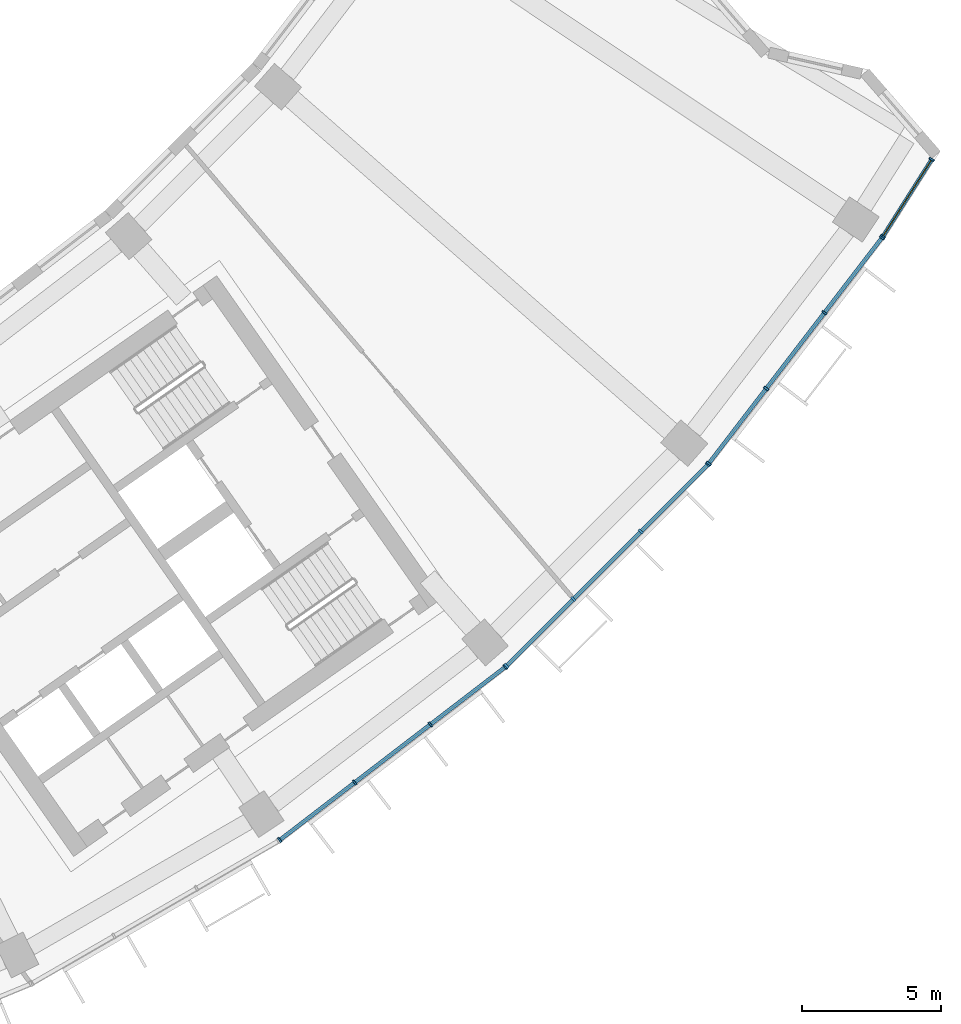
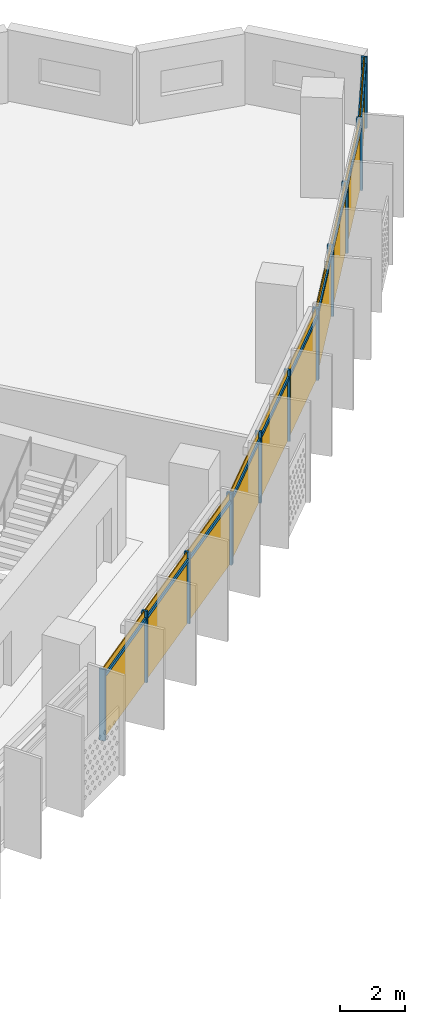
# One storey, part 20 of 27: 24 members, 4 curtain walls.
"""IFC4 building model written with IfcOpenShell, lengths in metres."""

from ifc_helpers import new_model, si_unit, direction, frame, origin, origin_2d, place, context, subcontext, project, spatial, rectangle, extrude, material, material_profile, profile_set, type_object, element, aggregate, save


model = new_model("IFC4")

# Units and contexts
model_context = context("Model", 3, precision=1e-05, world=origin(), true_north=direction((0.0, 1.0)))
body_context = subcontext(model_context, "Body", "Model", "MODEL_VIEW")
ifc_project = project(units=[si_unit("LENGTHUNIT", "METRE"), si_unit("AREAUNIT", "SQUARE_METRE"), si_unit("VOLUMEUNIT", "CUBIC_METRE"), si_unit("PLANEANGLEUNIT", "RADIAN"), si_unit("MASSUNIT", "GRAM", prefix="KILO")], contexts=[model_context])

# Member
ifc_material = material(Name="Aluminium 6063-T6 anodised", Category="aluminium")
ifc_material_profile_1 = material_profile(ifc_material, rectangle(XDim=0.199951171875, YDim=0.070068359375, at=origin_2d()))
ifc_profile_set_1 = profile_set([ifc_material_profile_1], Name="Aluminium 6063-T6 anodised")
member_type_1 = type_object("IfcMemberType", Name="Mullion 70 x 200 aluminium", PredefinedType="MULLION", material=ifc_profile_set_1)
site_placement = place(None, origin())
building_placement = place(site_placement, origin())
storey_placement = place(building_placement, frame((0.0, 0.0, 194.89990234375)))
member_1_placement = place(storey_placement, frame((43.85693359375, -65.58544921875, 0.0), z_axis=(0.0, 0.0, 1.0), x_axis=(-0.608761429009, 0.793353340291, 0.0)))
member_1 = element("IfcMember", 1, at=member_1_placement, type_object=member_type_1, Name="e-cw1-L46-out12/M00", PredefinedType="MULLION", context=body_context, shape_type="SweptSolid", body=[
    extrude(rectangle(XDim=0.199951171875, YDim=0.070068359375, at=origin_2d()), origin(), (0.0, 0.0, 1.0), 2.7001953125),
])

member_2_placement = place(storey_placement, frame((46.56201171875, -63.509765625, 0.0), z_axis=(0.0, 0.0, 1.0), x_axis=(-0.608761429009, 0.793353340291, 0.0)))
member_2 = element("IfcMember", 2, at=member_2_placement, type_object=member_type_1, Name="e-cw1-L46-out12/M01", PredefinedType="MULLION", context=body_context, shape_type="SweptSolid", body=[
    extrude(rectangle(XDim=0.199951171875, YDim=0.070068359375, at=origin_2d()), origin(), (0.0, 0.0, 1.0), 2.7001953125),
])

member_3_placement = place(storey_placement, frame((49.294677734375, -61.412841796875, 0.0), z_axis=(0.0, 0.0, 1.0), x_axis=(-0.608761429009, 0.793353340291, 0.0)))
member_3 = element("IfcMember", 3, at=member_3_placement, type_object=member_type_1, Name="e-cw1-L46-out12/M02", PredefinedType="MULLION", context=body_context, shape_type="SweptSolid", body=[
    extrude(rectangle(XDim=0.199951171875, YDim=0.070068359375, at=origin_2d()), origin(), (0.0, 0.0, 1.0), 2.7001953125),
])

member_4_placement = place(storey_placement, frame((51.999755859375, -59.33740234375, 0.0), z_axis=(0.0, 0.0, 1.0), x_axis=(-0.608761429009, 0.793353340291, 0.0)))
member_4 = element("IfcMember", 4, at=member_4_placement, type_object=member_type_1, Name="e-cw1-L46-out12/M03", PredefinedType="MULLION", context=body_context, shape_type="SweptSolid", body=[
    extrude(rectangle(XDim=0.199951171875, YDim=0.070068359375, at=origin_2d()), origin(), (0.0, 0.0, 1.0), 2.7001953125),
])

member_5_placement = place(storey_placement, frame((52.042236328125, -59.2998046875, 0.0), z_axis=(0.0, 0.0, 1.0), x_axis=(-0.707106781187, 0.707106781187, 0.0)))
member_5 = element("IfcMember", 5, at=member_5_placement, type_object=member_type_1, Name="e-cw1-L46-out13/M00", PredefinedType="MULLION", context=body_context, shape_type="SweptSolid", body=[
    extrude(rectangle(XDim=0.199951171875, YDim=0.070068359375, at=origin_2d()), origin(), (0.0, 0.0, 1.0), 2.7001953125),
])

member_6_placement = place(storey_placement, frame((54.453369140625, -56.888916015625, 0.0), z_axis=(0.0, 0.0, 1.0), x_axis=(-0.707106781187, 0.707106781187, 0.0)))
member_6 = element("IfcMember", 6, at=member_6_placement, type_object=member_type_1, Name="e-cw1-L46-out13/M01", PredefinedType="MULLION", context=body_context, shape_type="SweptSolid", body=[
    extrude(rectangle(XDim=0.199951171875, YDim=0.070068359375, at=origin_2d()), origin(), (0.0, 0.0, 1.0), 2.7001953125),
])

member_7_placement = place(storey_placement, frame((56.888916015625, -54.453369140625, 0.0), z_axis=(0.0, 0.0, 1.0), x_axis=(-0.707106781187, 0.707106781187, 0.0)))
member_7 = element("IfcMember", 7, at=member_7_placement, type_object=member_type_1, Name="e-cw1-L46-out13/M02", PredefinedType="MULLION", context=body_context, shape_type="SweptSolid", body=[
    extrude(rectangle(XDim=0.199951171875, YDim=0.070068359375, at=origin_2d()), origin(), (0.0, 0.0, 1.0), 2.7001953125),
])

member_8_placement = place(storey_placement, frame((59.2998046875, -52.042236328125, 0.0), z_axis=(0.0, 0.0, 1.0), x_axis=(-0.707106781187, 0.707106781187, 0.0)))
member_8 = element("IfcMember", 8, at=member_8_placement, type_object=member_type_1, Name="e-cw1-L46-out13/M03", PredefinedType="MULLION", context=body_context, shape_type="SweptSolid", body=[
    extrude(rectangle(XDim=0.199951171875, YDim=0.070068359375, at=origin_2d()), origin(), (0.0, 0.0, 1.0), 2.7001953125),
])

member_9_placement = place(storey_placement, frame((59.33740234375, -51.999755859375, 0.0), z_axis=(0.0, 0.0, 1.0), x_axis=(-0.793353340291, 0.608761429009, 0.0)))
member_9 = element("IfcMember", 9, at=member_9_placement, type_object=member_type_1, Name="e-cw1-L46-out14/M00", PredefinedType="MULLION", context=body_context, shape_type="SweptSolid", body=[
    extrude(rectangle(XDim=0.199951171875, YDim=0.070068359375, at=origin_2d()), origin(), (0.0, 0.0, 1.0), 2.7001953125),
])

member_10_placement = place(storey_placement, frame((61.412841796875, -49.294677734375, 0.0), z_axis=(0.0, 0.0, 1.0), x_axis=(-0.793353340291, 0.608761429009, 0.0)))
member_10 = element("IfcMember", 10, at=member_10_placement, type_object=member_type_1, Name="e-cw1-L46-out14/M01", PredefinedType="MULLION", context=body_context, shape_type="SweptSolid", body=[
    extrude(rectangle(XDim=0.199951171875, YDim=0.070068359375, at=origin_2d()), origin(), (0.0, 0.0, 1.0), 2.7001953125),
])

member_11_placement = place(storey_placement, frame((63.509765625, -46.56201171875, 0.0), z_axis=(0.0, 0.0, 1.0), x_axis=(-0.793353340291, 0.608761429009, 0.0)))
member_11 = element("IfcMember", 11, at=member_11_placement, type_object=member_type_1, Name="e-cw1-L46-out14/M02", PredefinedType="MULLION", context=body_context, shape_type="SweptSolid", body=[
    extrude(rectangle(XDim=0.199951171875, YDim=0.070068359375, at=origin_2d()), origin(), (0.0, 0.0, 1.0), 2.7001953125),
])

member_12_placement = place(storey_placement, frame((65.58544921875, -43.85693359375, 0.0), z_axis=(0.0, 0.0, 1.0), x_axis=(-0.793353340291, 0.608761429009, 0.0)))
member_12 = element("IfcMember", 12, at=member_12_placement, type_object=member_type_1, Name="e-cw1-L46-out14/M03", PredefinedType="MULLION", context=body_context, shape_type="SweptSolid", body=[
    extrude(rectangle(XDim=0.199951171875, YDim=0.070068359375, at=origin_2d()), origin(), (0.0, 0.0, 1.0), 2.7001953125),
])

member_13_placement = place(storey_placement, frame((65.620361328125, -43.806884765625, 0.0), z_axis=(0.0, 0.0, 1.0), x_axis=(-0.844405785473, 0.535704087589, 0.0)))
member_13 = element("IfcMember", 13, at=member_13_placement, type_object=member_type_1, Name="e-cw1-L46-out15/M00", PredefinedType="MULLION", context=body_context, shape_type="SweptSolid", body=[
    extrude(rectangle(XDim=0.199951171875, YDim=0.070068359375, at=origin_2d()), origin(), (0.0, 0.0, 1.0), 2.7001953125),
])

member_14_placement = place(storey_placement, frame((67.383056640625, -41.028564453125, 0.0), z_axis=(0.0, 0.0, 1.0), x_axis=(-0.844405785473, 0.535704087589, 0.0)))
member_14 = element("IfcMember", 14, at=member_14_placement, type_object=member_type_1, Name="e-cw1-L46-out15/M01", PredefinedType="MULLION", context=body_context, shape_type="SweptSolid", body=[
    extrude(rectangle(XDim=0.199951171875, YDim=0.070068359375, at=origin_2d()), origin(), (0.0, 0.0, 1.0), 2.7001953125),
])

ifc_material_profile_2 = material_profile(ifc_material, rectangle(XDim=0.139892578125, YDim=0.1201171875, at=origin_2d()))
ifc_profile_set_2 = profile_set([ifc_material_profile_2], Name="Aluminium 6063-T6 anodised")
member_type_2 = type_object("IfcMemberType", Name="Transom 120 x 140 aluminium", PredefinedType="USERDEFINED", material=ifc_profile_set_2)
member_15_placement = place(storey_placement, frame((43.884765625, -65.564208984375, 2.400146484375), z_axis=(0.793354486861, 0.608759934767, 0.0), x_axis=(-0.608759934767, 0.793354486861, 0.0)))
member_15 = element("IfcMember", 15, at=member_15_placement, type_object=member_type_2, Name="e-cw1-L46-out12/T00", ObjectType="TRANSOM", PredefinedType="USERDEFINED", context=body_context, shape_type="SweptSolid", body=[
    extrude(rectangle(XDim=0.139892578125, YDim=0.1201171875, at=origin_2d()), origin(), (0.0, 0.0, 1.0), 3.339599609375),
])

member_16_placement = place(storey_placement, frame((46.589599609375, -63.488525390625, 2.400146484375), z_axis=(0.793371081522, 0.608738307489, 0.0), x_axis=(-0.608738307489, 0.793371081522, 0.0)))
member_16 = element("IfcMember", 16, at=member_16_placement, type_object=member_type_2, Name="e-cw1-L46-out12/T01", ObjectType="TRANSOM", PredefinedType="USERDEFINED", context=body_context, shape_type="SweptSolid", body=[
    extrude(rectangle(XDim=0.139892578125, YDim=0.1201171875, at=origin_2d()), origin(), (0.0, 0.0, 1.0), 3.37451171875),
])

member_17_placement = place(storey_placement, frame((49.322509765625, -61.3916015625, 2.400146484375), z_axis=(0.793354486861, 0.608759934767, 0.0), x_axis=(-0.608759934767, 0.793354486861, 0.0)))
member_17 = element("IfcMember", 17, at=member_17_placement, type_object=member_type_2, Name="e-cw1-L46-out12/T02", ObjectType="TRANSOM", PredefinedType="USERDEFINED", context=body_context, shape_type="SweptSolid", body=[
    extrude(rectangle(XDim=0.139892578125, YDim=0.1201171875, at=origin_2d()), origin(), (0.0, 0.0, 1.0), 3.339599609375),
])

member_18_placement = place(storey_placement, frame((52.067138671875, -59.275146484375, 2.400146484375), z_axis=(0.707106781187, 0.707106781187, 0.0), x_axis=(-0.707106781187, 0.707106781187, 0.0)))
member_18 = element("IfcMember", 18, at=member_18_placement, type_object=member_type_2, Name="e-cw1-L46-out13/T00", ObjectType="TRANSOM", PredefinedType="USERDEFINED", context=body_context, shape_type="SweptSolid", body=[
    extrude(rectangle(XDim=0.139892578125, YDim=0.1201171875, at=origin_2d()), origin(), (0.0, 0.0, 1.0), 3.33935546875),
])

member_19_placement = place(storey_placement, frame((54.47802734375, -56.8642578125, 2.400146484375), z_axis=(0.707106781187, 0.707106781187, 0.0), x_axis=(-0.707106781187, 0.707106781187, 0.0)))
member_19 = element("IfcMember", 19, at=member_19_placement, type_object=member_type_2, Name="e-cw1-L46-out13/T01", ObjectType="TRANSOM", PredefinedType="USERDEFINED", context=body_context, shape_type="SweptSolid", body=[
    extrude(rectangle(XDim=0.139892578125, YDim=0.1201171875, at=origin_2d()), origin(), (0.0, 0.0, 1.0), 3.374755859375),
])

member_20_placement = place(storey_placement, frame((56.913818359375, -54.428466796875, 2.400146484375), z_axis=(0.707106781187, 0.707106781187, 0.0), x_axis=(-0.707106781187, 0.707106781187, 0.0)))
member_20 = element("IfcMember", 20, at=member_20_placement, type_object=member_type_2, Name="e-cw1-L46-out13/T02", ObjectType="TRANSOM", PredefinedType="USERDEFINED", context=body_context, shape_type="SweptSolid", body=[
    extrude(rectangle(XDim=0.139892578125, YDim=0.1201171875, at=origin_2d()), origin(), (0.0, 0.0, 1.0), 3.33935546875),
])

member_21_placement = place(storey_placement, frame((59.358642578125, -51.971923828125, 2.400146484375), z_axis=(0.608759934767, 0.793354486861, 0.0), x_axis=(-0.793354486861, 0.608759934767, 0.0)))
member_21 = element("IfcMember", 21, at=member_21_placement, type_object=member_type_2, Name="e-cw1-L46-out14/T00", ObjectType="TRANSOM", PredefinedType="USERDEFINED", context=body_context, shape_type="SweptSolid", body=[
    extrude(rectangle(XDim=0.139892578125, YDim=0.1201171875, at=origin_2d()), origin(), (0.0, 0.0, 1.0), 3.339599609375),
])

member_22_placement = place(storey_placement, frame((61.434326171875, -49.266845703125, 2.400146484375), z_axis=(0.608738307489, 0.793371081522, 0.0), x_axis=(-0.793371081522, 0.608738307489, 0.0)))
member_22 = element("IfcMember", 22, at=member_22_placement, type_object=member_type_2, Name="e-cw1-L46-out14/T01", ObjectType="TRANSOM", PredefinedType="USERDEFINED", context=body_context, shape_type="SweptSolid", body=[
    extrude(rectangle(XDim=0.139892578125, YDim=0.1201171875, at=origin_2d()), origin(), (0.0, 0.0, 1.0), 3.37451171875),
])

member_23_placement = place(storey_placement, frame((63.53125, -46.5341796875, 2.400146484375), z_axis=(0.608759934767, 0.793354486861, 0.0), x_axis=(-0.793354486861, 0.608759934767, 0.0)))
member_23 = element("IfcMember", 23, at=member_23_placement, type_object=member_type_2, Name="e-cw1-L46-out14/T02", ObjectType="TRANSOM", PredefinedType="USERDEFINED", context=body_context, shape_type="SweptSolid", body=[
    extrude(rectangle(XDim=0.139892578125, YDim=0.1201171875, at=origin_2d()), origin(), (0.0, 0.0, 1.0), 3.339599609375),
])

member_24_placement = place(storey_placement, frame((65.63916015625, -43.77734375, 2.400146484375), z_axis=(0.535697631595, 0.844409881221, 0.0), x_axis=(-0.844409881221, 0.535697631595, 0.0)))
member_24 = element("IfcMember", 24, at=member_24_placement, type_object=member_type_2, Name="e-cw1-L46-out15/T00", ObjectType="TRANSOM", PredefinedType="USERDEFINED", context=body_context, shape_type="SweptSolid", body=[
    extrude(rectangle(XDim=0.139892578125, YDim=0.1201171875, at=origin_2d()), origin(), (0.0, 0.0, 1.0), 3.22021484375),
])

# Site, building, storey
site = spatial("IfcSite", under=ifc_project, at=site_placement, CompositionType="ELEMENT")
building = spatial("IfcBuilding", under=site, at=building_placement, Name="Qamariyya Broadcast Tower", CompositionType="ELEMENT")
storey = spatial("IfcBuildingStorey", under=building, at=storey_placement, Name="L46", CompositionType="ELEMENT", Elevation=194.89990234375)

# Curtain wall
curtain_wall_type = type_object("IfcCurtainWallType", Name="Unitised curtain wall, anodised aluminium", PredefinedType="NOTDEFINED", material=ifc_material)
curtain_wall_1_placement = place(storey_placement, origin())
curtain_wall_1 = element("IfcCurtainWall", 25, at=curtain_wall_1_placement, inside=storey, type_object=curtain_wall_type, Name="e-cw1-L46-out12", PredefinedType="NOTDEFINED", context=body_context, shape_type="SweptSolid", body=[
    extrude(rectangle(XDim=3.339599609375, YDim=0.031982421875, at=origin_2d()), frame((45.20947265625, -64.547607421875, 0.0), x_axis=(0.793351517557, 0.608763804434, 0.0)), (0.0, 0.0, 1.0), 2.340087890625),
    extrude(rectangle(XDim=3.339599609375, YDim=0.031982421875, at=origin_2d()), frame((45.20947265625, -64.547607421875, 2.460205078125), x_axis=(0.793351517557, 0.608763804434, 0.0)), (0.0, 0.0, 1.0), 0.239990234375),
    extrude(rectangle(XDim=3.37451171875, YDim=0.031982421875, at=origin_2d()), frame((47.92822265625, -62.46142578125, 0.0), x_axis=(0.793351517557, 0.608763804434, 0.0)), (0.0, 0.0, 1.0), 2.340087890625),
    extrude(rectangle(XDim=3.37451171875, YDim=0.031982421875, at=origin_2d()), frame((47.92822265625, -62.46142578125, 2.460205078125), x_axis=(0.793351517557, 0.608763804434, 0.0)), (0.0, 0.0, 1.0), 0.239990234375),
    extrude(rectangle(XDim=3.339599609375, YDim=0.031982421875, at=origin_2d()), frame((50.64697265625, -60.375, 0.0), x_axis=(0.793351517557, 0.608763804434, 0.0)), (0.0, 0.0, 1.0), 2.340087890625),
    extrude(rectangle(XDim=3.339599609375, YDim=0.031982421875, at=origin_2d()), frame((50.64697265625, -60.375, 2.460205078125), x_axis=(0.793351517557, 0.608763804434, 0.0)), (0.0, 0.0, 1.0), 0.239990234375),
])

aggregate(curtain_wall_1, [member_1, member_2, member_3, member_4, member_15, member_16, member_17])

curtain_wall_2_placement = place(storey_placement, origin())
curtain_wall_2 = element("IfcCurtainWall", 26, at=curtain_wall_2_placement, inside=storey, type_object=curtain_wall_type, Name="e-cw1-L46-out13", PredefinedType="NOTDEFINED", context=body_context, shape_type="SweptSolid", body=[
    extrude(rectangle(XDim=3.339599609375, YDim=0.031982421875, at=origin_2d()), frame((53.247802734375, -58.094482421875, 0.0), x_axis=(0.707106781187, 0.707106781187, 0.0)), (0.0, 0.0, 1.0), 2.340087890625),
    extrude(rectangle(XDim=3.339599609375, YDim=0.031982421875, at=origin_2d()), frame((53.247802734375, -58.094482421875, 2.460205078125), x_axis=(0.707106781187, 0.707106781187, 0.0)), (0.0, 0.0, 1.0), 0.239990234375),
    extrude(rectangle(XDim=3.37451171875, YDim=0.031982421875, at=origin_2d()), frame((55.671142578125, -55.671142578125, 0.0), x_axis=(0.707106781187, 0.707106781187, 0.0)), (0.0, 0.0, 1.0), 2.340087890625),
    extrude(rectangle(XDim=3.37451171875, YDim=0.031982421875, at=origin_2d()), frame((55.671142578125, -55.671142578125, 2.460205078125), x_axis=(0.707106781187, 0.707106781187, 0.0)), (0.0, 0.0, 1.0), 0.239990234375),
    extrude(rectangle(XDim=3.339599609375, YDim=0.031982421875, at=origin_2d()), frame((58.094482421875, -53.247802734375, 0.0), x_axis=(0.707106781187, 0.707106781187, 0.0)), (0.0, 0.0, 1.0), 2.340087890625),
    extrude(rectangle(XDim=3.339599609375, YDim=0.031982421875, at=origin_2d()), frame((58.094482421875, -53.247802734375, 2.460205078125), x_axis=(0.707106781187, 0.707106781187, 0.0)), (0.0, 0.0, 1.0), 0.239990234375),
])

aggregate(curtain_wall_2, [member_5, member_6, member_7, member_8, member_18, member_19, member_20])

curtain_wall_3_placement = place(storey_placement, origin())
curtain_wall_3 = element("IfcCurtainWall", 27, at=curtain_wall_3_placement, inside=storey, type_object=curtain_wall_type, Name="e-cw1-L46-out14", PredefinedType="NOTDEFINED", context=body_context, shape_type="SweptSolid", body=[
    extrude(rectangle(XDim=3.339599609375, YDim=0.031982421875, at=origin_2d()), frame((60.375, -50.64697265625, 0.0), x_axis=(0.608763804434, 0.793351517557, 0.0)), (0.0, 0.0, 1.0), 2.340087890625),
    extrude(rectangle(XDim=3.339599609375, YDim=0.031982421875, at=origin_2d()), frame((60.375, -50.64697265625, 2.460205078125), x_axis=(0.608763804434, 0.793351517557, 0.0)), (0.0, 0.0, 1.0), 0.239990234375),
    extrude(rectangle(XDim=3.37451171875, YDim=0.031982421875, at=origin_2d()), frame((62.46142578125, -47.92822265625, 0.0), x_axis=(0.608763804434, 0.793351517557, 0.0)), (0.0, 0.0, 1.0), 2.340087890625),
    extrude(rectangle(XDim=3.37451171875, YDim=0.031982421875, at=origin_2d()), frame((62.46142578125, -47.92822265625, 2.460205078125), x_axis=(0.608763804434, 0.793351517557, 0.0)), (0.0, 0.0, 1.0), 0.239990234375),
    extrude(rectangle(XDim=3.339599609375, YDim=0.031982421875, at=origin_2d()), frame((64.547607421875, -45.20947265625, 0.0), x_axis=(0.608763804434, 0.793351517557, 0.0)), (0.0, 0.0, 1.0), 2.340087890625),
    extrude(rectangle(XDim=3.339599609375, YDim=0.031982421875, at=origin_2d()), frame((64.547607421875, -45.20947265625, 2.460205078125), x_axis=(0.608763804434, 0.793351517557, 0.0)), (0.0, 0.0, 1.0), 0.239990234375),
])

aggregate(curtain_wall_3, [member_9, member_10, member_11, member_12, member_21, member_22, member_23])

curtain_wall_4_placement = place(storey_placement, origin())
curtain_wall_4 = element("IfcCurtainWall", 28, at=curtain_wall_4_placement, inside=storey, type_object=curtain_wall_type, Name="e-cw1-L46-out15", PredefinedType="NOTDEFINED", context=body_context, shape_type="SweptSolid", body=[
    extrude(rectangle(XDim=3.220458984375, YDim=0.031982421875, at=origin_2d()), frame((66.501708984375, -42.417724609375, 0.0), x_axis=(0.53574674632, 0.844378720603, 0.0)), (0.0, 0.0, 1.0), 2.340087890625),
    extrude(rectangle(XDim=3.220458984375, YDim=0.031982421875, at=origin_2d()), frame((66.501708984375, -42.417724609375, 2.460205078125), x_axis=(0.53574674632, 0.844378720603, 0.0)), (0.0, 0.0, 1.0), 0.239990234375),
])

aggregate(curtain_wall_4, [member_13, member_14, member_24])

save(model, "model.ifc")
